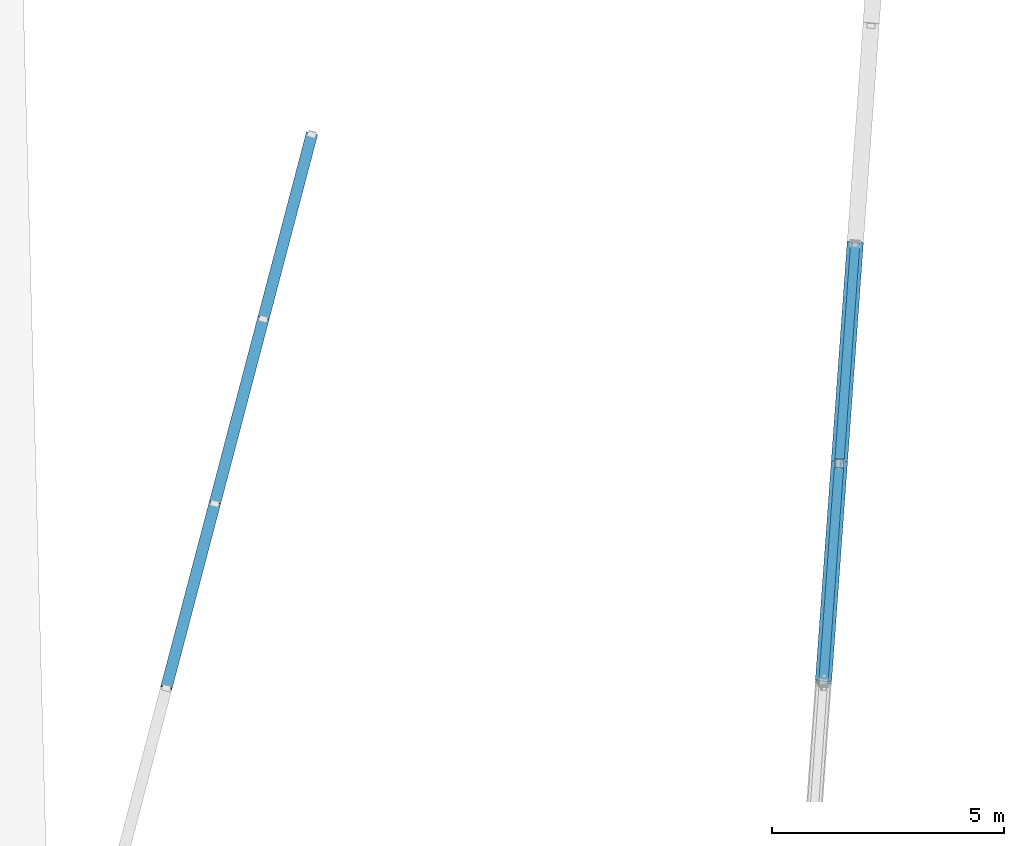
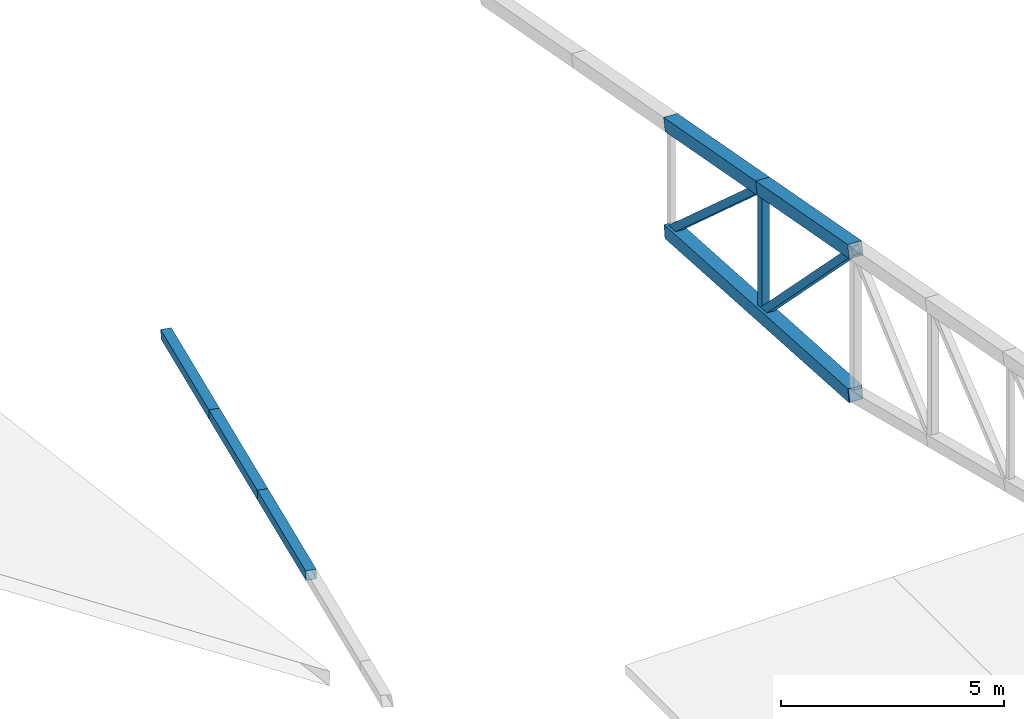
# One storey, part 23 of 188: 9 members.
"""IFC4 building model written with IfcOpenShell, lengths in metres."""

from ifc_helpers import new_model, si_unit, direction, frame, origin, origin_2d, place, context, subcontext, project, spatial, hollow_rectangle, extrude, material, material_profile, profile_set, type_object, element, save


model = new_model("IFC4")

# Units and contexts
model_context = context("Model", 3, precision=1e-05, world=origin(), true_north=direction((0.0, 1.0)))
body_context = subcontext(model_context, "Body", "Model", "MODEL_VIEW")
ifc_project = project(units=[si_unit("LENGTHUNIT", "METRE"), si_unit("AREAUNIT", "SQUARE_METRE"), si_unit("VOLUMEUNIT", "CUBIC_METRE"), si_unit("PLANEANGLEUNIT", "RADIAN"), si_unit("MASSUNIT", "GRAM", prefix="KILO")], contexts=[model_context])

# Site, building, storey
site_placement = place(None, origin())
site = spatial("IfcSite", under=ifc_project, at=site_placement, CompositionType="ELEMENT")
building_placement = place(site_placement, origin())
building = spatial("IfcBuilding", under=site, at=building_placement, Name="Meseta Stadium", CompositionType="ELEMENT")
storey_placement = place(building_placement, frame((0.0, 0.0, 30.0)))
storey = spatial("IfcBuildingStorey", under=building, at=storey_placement, Name="ROOF", CompositionType="ELEMENT", Elevation=30.0)

# Members
ifc_material_1 = material(Name="Steel S355", Category="steel")
ifc_material_profile_1 = material_profile(ifc_material_1, hollow_rectangle(XDim=0.199951171875, YDim=0.199951171875, WallThickness=0.008056640625, at=origin_2d()), Name="SHS 200x200x8")
ifc_profile_set_1 = profile_set([ifc_material_profile_1], Name="Steel S355")
member_type_1 = type_object("IfcMemberType", Name="SHS 200x200x8 diagonal", PredefinedType="BRACE", material=ifc_profile_set_1)
member_1_placement = place(storey_placement, frame((-5.83349609375, -80.120361328125, 0.911865234375), z_axis=(-0.054274181966, -0.748402202042, 0.661020769076), x_axis=(0.997380746332, -0.072330124054, 0.0)))
element("IfcMember", 1, at=member_1_placement, inside=storey, type_object=member_type_1, Name="ROOF TRUSS RT-46 diagonal", PredefinedType="BRACE", context=body_context, shape_type="SweptSolid", body=[
    extrude(hollow_rectangle(XDim=0.199951171875, YDim=0.199951171875, WallThickness=0.008056640625, at=origin_2d()), origin(), (0.0, 0.0, 1.0), 6.297607421875),
])
member_2_placement = place(storey_placement, frame((-6.17529296875, -84.83349609375, 1.644287109375), z_axis=(-0.05144551563, -0.709360166939, 0.702966224282), x_axis=(0.997380476022, -0.072333851348, 0.0)))
element("IfcMember", 2, at=member_2_placement, inside=storey, type_object=member_type_1, Name="ROOF TRUSS RT-46 diagonal", PredefinedType="BRACE", context=body_context, shape_type="SweptSolid", body=[
    extrude(hollow_rectangle(XDim=0.199951171875, YDim=0.199951171875, WallThickness=0.008056640625, at=origin_2d()), origin(), (0.0, 0.0, 1.0), 6.643798828125),
])
ifc_material_2 = material(Name="Steel S355", Category="steel")
ifc_material_profile_2 = material_profile(ifc_material_2, hollow_rectangle(XDim=0.199951171875, YDim=0.199951171875, WallThickness=0.008056640625, at=origin_2d()), Name="SHS 200x200x8")
ifc_profile_set_2 = profile_set([ifc_material_profile_2], Name="Steel S355")
member_type_2 = type_object("IfcMemberType", Name="SHS 200x200x8 post", PredefinedType="POST", material=ifc_profile_set_2)
member_3_placement = place(storey_placement, frame((-6.17529296875, -84.83349609375, 1.644287109375), z_axis=(0.0, 0.0, 1.0), x_axis=(1.0, 0.0, 0.0)))
element("IfcMember", 3, at=member_3_placement, inside=storey, type_object=member_type_2, Name="ROOF TRUSS RT-46 post", PredefinedType="POST", context=body_context, shape_type="SweptSolid", body=[
    extrude(hollow_rectangle(XDim=0.199951171875, YDim=0.199951171875, WallThickness=0.008056640625, at=origin_2d()), origin(), (0.0, 0.0, 1.0), 3.430419921875),
])
ifc_material_3 = material(Name="Steel S355", Category="steel")
ifc_material_profile_3 = material_profile(ifc_material_3, hollow_rectangle(XDim=0.25, YDim=0.25, WallThickness=0.010009765625, at=origin_2d()), Name="SHS 250x250x10")
ifc_profile_set_3 = profile_set([ifc_material_profile_3], Name="Steel S355")
member_type_3 = type_object("IfcMemberType", Name="SHS 250x250x10 top chord", PredefinedType="CHORD", material=ifc_profile_set_3)
member_4_placement = place(storey_placement, frame((-17.51953125, -77.74658203125, 0.7265625), z_axis=(-0.25175622822, -0.9578399689, 0.138424692634), x_axis=(0.967150765776, -0.254203454457, 0.0)))
element("IfcMember", 4, at=member_4_placement, inside=storey, type_object=member_type_3, Name="ROOF TRUSS RT-45 top chord", PredefinedType="CHORD", context=body_context, shape_type="SweptSolid", body=[
    extrude(hollow_rectangle(XDim=0.25, YDim=0.25, WallThickness=0.010009765625, at=origin_2d()), origin(), (0.0, 0.0, 1.0), 4.144775390625),
])
member_5_placement = place(storey_placement, frame((-18.56298828125, -81.716552734375, 1.30029296875), z_axis=(-0.251715258624, -0.957849310843, 0.138434555995), x_axis=(0.967161544872, -0.254162440421, 0.0)))
element("IfcMember", 5, at=member_5_placement, inside=storey, type_object=member_type_3, Name="ROOF TRUSS RT-45 top chord", PredefinedType="CHORD", context=body_context, shape_type="SweptSolid", body=[
    extrude(hollow_rectangle(XDim=0.25, YDim=0.25, WallThickness=0.010009765625, at=origin_2d()), origin(), (0.0, 0.0, 1.0), 4.14453125),
])
member_6_placement = place(storey_placement, frame((-19.606201171875, -85.686279296875, 1.8740234375), z_axis=(-0.25175622822, -0.9578399689, 0.138424692634), x_axis=(0.967150765776, -0.254203454457, 0.0)))
element("IfcMember", 6, at=member_6_placement, inside=storey, type_object=member_type_3, Name="ROOF TRUSS RT-45 top chord", PredefinedType="CHORD", context=body_context, shape_type="SweptSolid", body=[
    extrude(hollow_rectangle(XDim=0.25, YDim=0.25, WallThickness=0.010009765625, at=origin_2d()), origin(), (0.0, 0.0, 1.0), 4.144775390625),
])
ifc_material_4 = material(Name="Steel S355", Category="steel")
ifc_material_profile_4 = material_profile(ifc_material_4, hollow_rectangle(XDim=0.35009765625, YDim=0.35009765625, WallThickness=0.010009765625, at=origin_2d()), Name="SHS 350x350x10")
ifc_profile_set_4 = profile_set([ifc_material_profile_4], Name="Steel S355")
member_type_4 = type_object("IfcMemberType", Name="SHS 350x350x10 top chord", PredefinedType="CHORD", material=ifc_profile_set_4)
member_7_placement = place(storey_placement, frame((-5.83349609375, -80.120361328125, 3.834716796875), z_axis=(-0.069961595853, -0.96472043424, 0.25381067524), x_axis=(0.997380746332, -0.072330124054, 0.0)))
element("IfcMember", 7, at=member_7_placement, inside=storey, type_object=member_type_4, Name="ROOF TRUSS RT-46 top chord", PredefinedType="CHORD", context=body_context, shape_type="SweptSolid", body=[
    extrude(hollow_rectangle(XDim=0.35009765625, YDim=0.35009765625, WallThickness=0.010009765625, at=origin_2d()), origin(), (0.0, 0.0, 1.0), 4.885498046875),
])
ifc_material_5 = material(Name="Steel S355", Category="steel")
ifc_material_profile_5 = material_profile(ifc_material_5, hollow_rectangle(XDim=0.35009765625, YDim=0.35009765625, WallThickness=0.01416015625, at=origin_2d()), Name="SHS 350x350x14.2")
ifc_profile_set_5 = profile_set([ifc_material_profile_5], Name="Steel S355")
member_type_5 = type_object("IfcMemberType", Name="SHS 350x350x14.2 bottom chord", PredefinedType="CHORD", material=ifc_profile_set_5)
member_8_placement = place(storey_placement, frame((-5.83349609375, -80.120361328125, 0.911865234375), z_axis=(-0.071478200615, -0.985607802699, 0.153193100676), x_axis=(0.997380611182, -0.072331987653, 0.0)))
element("IfcMember", 8, at=member_8_placement, inside=storey, type_object=member_type_5, Name="ROOF TRUSS RT-46 bottom chord", PredefinedType="CHORD", context=body_context, shape_type="SweptSolid", body=[
    extrude(hollow_rectangle(XDim=0.35009765625, YDim=0.35009765625, WallThickness=0.01416015625, at=origin_2d()), origin(), (0.0, 0.0, 1.0), 9.563720703125),
])
ifc_material_6 = material(Name="Steel S355", Category="steel")
ifc_material_profile_6 = material_profile(ifc_material_6, hollow_rectangle(XDim=0.35009765625, YDim=0.35009765625, WallThickness=0.01416015625, at=origin_2d()), Name="SHS 350x350x14.2")
ifc_profile_set_6 = profile_set([ifc_material_profile_6], Name="Steel S355")
member_type_6 = type_object("IfcMemberType", Name="SHS 350x350x14.2 top chord", PredefinedType="CHORD", material=ifc_profile_set_6)
member_9_placement = place(storey_placement, frame((-6.17529296875, -84.83349609375, 5.07470703125), z_axis=(-0.069964968827, -0.964716970167, 0.253822911908), x_axis=(0.997380476022, -0.072333851348, 0.0)))
element("IfcMember", 9, at=member_9_placement, inside=storey, type_object=member_type_6, Name="ROOF TRUSS RT-46 top chord", PredefinedType="CHORD", context=body_context, shape_type="SweptSolid", body=[
    extrude(hollow_rectangle(XDim=0.35009765625, YDim=0.35009765625, WallThickness=0.01416015625, at=origin_2d()), origin(), (0.0, 0.0, 1.0), 4.88525390625),
])

save(model, "model.ifc")
